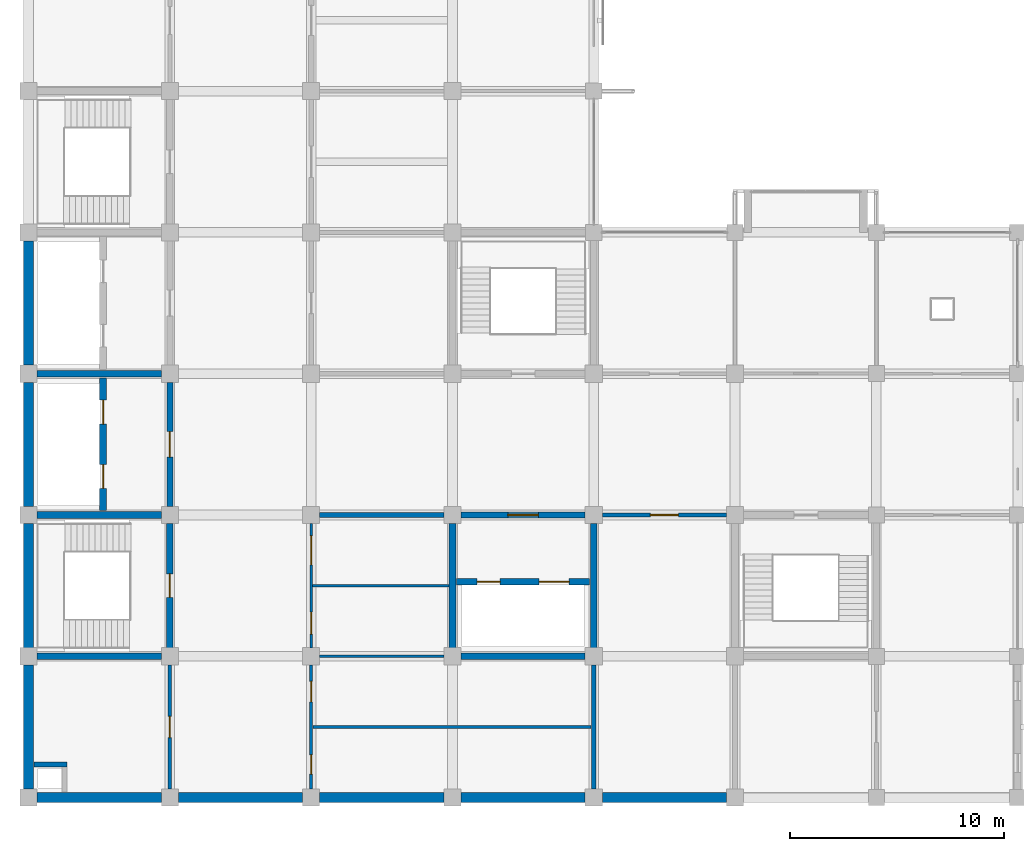
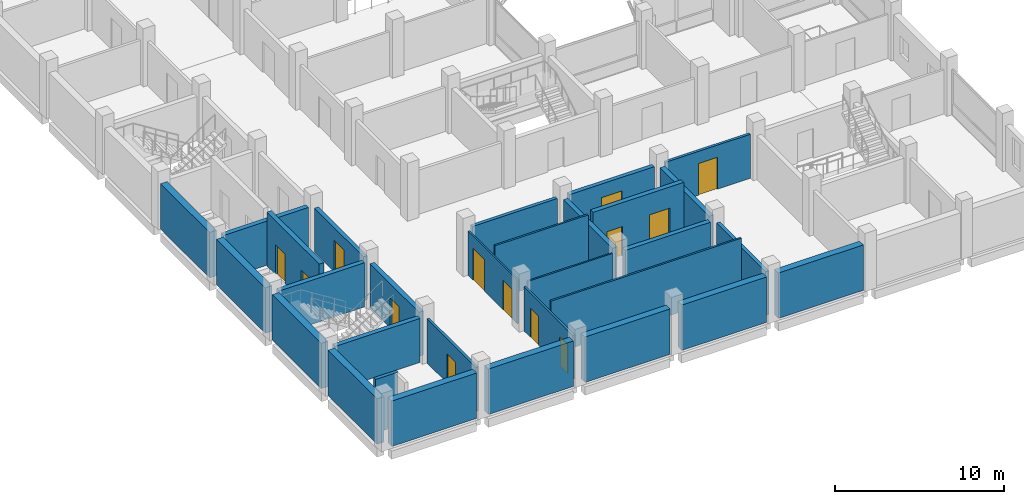
# One storey, part 7 of 14: 30 walls, 13 doors, 13 openings.
"""IFC4 building model written with IfcOpenShell, lengths in metres."""

from ifc_helpers import new_model, si_unit, direction, frame, frame_2d, origin, place, context, subcontext, project, spatial, rectangle, extrude, material, layer, layer_set, type_object, element, fill, save


model = new_model("IFC4")

# Units and contexts
model_context = context("Model", 3, precision=1e-05, world=origin(), true_north=direction((0.0, 1.0)))
body_context = subcontext(model_context, "Body", "Model", "MODEL_VIEW")
ifc_project = project(units=[si_unit("LENGTHUNIT", "METRE"), si_unit("AREAUNIT", "SQUARE_METRE"), si_unit("VOLUMEUNIT", "CUBIC_METRE"), si_unit("PLANEANGLEUNIT", "RADIAN"), si_unit("MASSUNIT", "GRAM", prefix="KILO")], contexts=[model_context])

# Site, building, storey
site_placement = place(None, origin())
site = spatial("IfcSite", under=ifc_project, at=site_placement, CompositionType="ELEMENT")
building_placement = place(site_placement, origin())
building = spatial("IfcBuilding", under=site, at=building_placement, Name="Rusizi Kubbe Research Institute", CompositionType="ELEMENT")
storey_placement = place(building_placement, frame((0.0, 0.0, 31.199951171875)))
storey = spatial("IfcBuildingStorey", under=building, at=storey_placement, Name="L07", CompositionType="ELEMENT", Elevation=31.199951171875)

# Walls
ifc_material_1 = material(Name="Concrete C45/55", Category="concrete")
ifc_layer_1 = layer(ifc_material_1, 0.31494140625)
ifc_layer_set_1 = layer_set([ifc_layer_1], Name="Concrete C45/55")
wall_type_1 = type_object("IfcWallType", Name="CRW-02", PredefinedType="SHEAR", material=ifc_layer_set_1)
for number, where, z_axis, x_axis, name in (
    (1, (0.39990234375, 6.60009765625, 0.0), (0.0, 0.0, 1.0), (1.0, 0.0, 0.0), "Stair Core Shear Wall ST1 L07 S"),
    (2, (0.39990234375, 13.199951171875, 0.0), (0.0, 0.0, 1.0), (1.0, 0.0, 0.0), "Stair Core Shear Wall ST1 L07 N"),
):
    element("IfcWall", number, at=place(storey_placement, frame(where, z_axis=z_axis, x_axis=x_axis)), inside=storey, type_object=wall_type_1, Name=name, PredefinedType="SHEAR", context=body_context, shape_type="SweptSolid", body=[
        extrude(rectangle(XDim=5.800048828125, YDim=0.31494140625, at=frame_2d((2.89990234375, 0.0))), origin(), (0.0, 0.0, 1.0), 3.179931640625),
    ])

# Wall, opening, door
wall_1_placement = place(storey_placement, frame((6.60009765625, 7.0, 0.0), z_axis=(0.0, 0.0, 1.0), x_axis=(0.0, 1.0, 0.0)))
wall_1 = element("IfcWall", 3, at=wall_1_placement, inside=storey, type_object=wall_type_1, Name="Stair Core Shear Wall ST1 L07 E", PredefinedType="SHEAR", context=body_context, shape_type="SweptSolid", body=[
    extrude(rectangle(XDim=5.800048828125, YDim=0.31494140625, at=frame_2d((2.89990234375, 0.0))), origin(), (0.0, 0.0, 1.0), 3.179931640625),
])
opening_1_placement = place(wall_1_placement, frame((2.35009765625, 0.0, 0.0)))
opening_1 = element("IfcOpeningElement", 4, at=opening_1_placement, cuts=wall_1, Name="Opening D-01", PredefinedType="OPENING", context=body_context, shape_type="SweptSolid", body=[
    extrude(rectangle(XDim=1.10009765625, YDim=2.14990234375, at=frame_2d((0.550048828125, 1.074951171875))), frame((0.0, 0.16748046875, 0.0), z_axis=(0.0, -1.0, 0.0), x_axis=(1.0, 0.0, 0.0)), (0.0, 0.0, 1.0), 0.3349609375),
])
ifc_material_2 = material(Name="Fire-Rated Steel Frame and Acoustic Timber Leaf", Category="wood")
door_type_1 = type_object("IfcDoorType", Name="ID-STAIR-110", OperationType="NOTDEFINED", PredefinedType="DOOR", material=ifc_material_2)
door_1_placement = place(opening_1_placement, origin())
door_1 = element("IfcDoor", 5, at=door_1_placement, inside=storey, type_object=door_type_1, Name="Exit Stair Door ST1 L07", OperationType="SINGLE_SWING_LEFT", OverallHeight=2.14990234375, OverallWidth=1.10009765625, PredefinedType="DOOR", context=body_context, shape_type="SweptSolid", body=[
    extrude(rectangle(XDim=1.10009765625, YDim=2.14990234375, at=frame_2d((0.550048828125, 1.074951171875))), frame((0.0, 0.02490234375, 0.0), z_axis=(0.0, -1.0, 0.0), x_axis=(1.0, 0.0, 0.0)), (0.0, 0.0, 1.0), 0.050048828125),
])
fill(opening_1, door_1)

# Walls
for number, where, z_axis, x_axis, name in (
    (6, (0.39990234375, 19.800048828125, 0.0), (0.0, 0.0, 1.0), (1.0, 0.0, 0.0), "Lift Core Divider Wall (0,2-3) L07"),
    (7, (20.199951171875, 6.60009765625, 0.0), (0.0, 0.0, 1.0), (1.0, 0.0, 0.0), "Lab Lift Core Wall S (3,1) L07"),
    (8, (19.800048828125, 7.0, 0.0), (0.0, 0.0, 1.0), (0.0, 1.0, 0.0), "Lab Lift Core Wall W (3,1) L07"),
    (9, (26.39990234375, 7.0, 0.0), (0.0, 0.0, 1.0), (0.0, 1.0, 0.0), "Lab Lift Core Wall E (3,1) L07"),
):
    element("IfcWall", number, at=place(storey_placement, frame(where, z_axis=z_axis, x_axis=x_axis)), inside=storey, type_object=wall_type_1, Name=name, PredefinedType="SHEAR", context=body_context, shape_type="SweptSolid", body=[
        extrude(rectangle(XDim=5.800048828125, YDim=0.31494140625, at=frame_2d((2.89990234375, 0.0))), origin(), (0.0, 0.0, 1.0), 3.179931640625),
    ])

# Wall, openings, doors
wall_2_placement = place(storey_placement, frame((3.47998046875, 13.39990234375, 0.0), z_axis=(0.0, 0.0, 1.0), x_axis=(0.0, 1.0, 0.0)))
wall_2 = element("IfcWall", 10, at=wall_2_placement, inside=storey, type_object=wall_type_1, Name="Firefighting Lift Shaft Front Wall L07", PredefinedType="SHEAR", context=body_context, shape_type="SweptSolid", body=[
    extrude(rectangle(XDim=6.2001953125, YDim=0.31494140625, at=frame_2d((3.10009765625, 0.0))), origin(), (0.0, 0.0, 1.0), 3.880126953125),
])
opening_2_placement = place(wall_2_placement, frame((1.050048828125, 0.0, 0.0)))
opening_2 = element("IfcOpeningElement", 11, at=opening_2_placement, cuts=wall_2, Name="Opening LD-01", PredefinedType="OPENING", context=body_context, shape_type="SweptSolid", body=[
    extrude(rectangle(XDim=1.10009765625, YDim=2.14990234375, at=frame_2d((0.550048828125, 1.074951171875))), frame((0.0, 0.16748046875, 0.0), z_axis=(0.0, -1.0, 0.0), x_axis=(1.0, 0.0, 0.0)), (0.0, 0.0, 1.0), 0.3349609375),
])
opening_3_placement = place(wall_2_placement, frame((4.050048828125, 0.0, 0.0)))
opening_3 = element("IfcOpeningElement", 12, at=opening_3_placement, cuts=wall_2, Name="Opening LD-02", PredefinedType="OPENING", context=body_context, shape_type="SweptSolid", body=[
    extrude(rectangle(XDim=1.1201171875, YDim=2.14990234375, at=frame_2d((0.56005859375, 1.074951171875))), frame((0.0, 0.16748046875, 0.0), z_axis=(0.0, -1.0, 0.0), x_axis=(1.0, 0.0, 0.0)), (0.0, 0.0, 1.0), 0.3349609375),
])
ifc_material_3 = material(Name="Brushed Stainless Steel Sliding Door", Category="steel")
door_type_2 = type_object("IfcDoorType", Name="LD-01", OperationType="DOUBLE_DOOR_SLIDING", PredefinedType="USERDEFINED", material=ifc_material_3)
door_2_placement = place(opening_2_placement, origin())
door_2 = element("IfcDoor", 13, at=door_2_placement, inside=storey, type_object=door_type_2, Name="Lift Landing Sliding Door FL1 L07", ObjectType="SLIDING DOOR", OperationType="DOUBLE_DOOR_SLIDING", OverallHeight=2.14990234375, OverallWidth=1.10009765625, PredefinedType="USERDEFINED", context=body_context, shape_type="SweptSolid", body=[
    extrude(rectangle(XDim=1.10009765625, YDim=2.14990234375, at=frame_2d((0.550048828125, 1.074951171875))), frame((0.0, 0.02490234375, 0.0), z_axis=(0.0, -1.0, 0.0), x_axis=(1.0, 0.0, 0.0)), (0.0, 0.0, 1.0), 0.050048828125),
])
fill(opening_2, door_2)
ifc_material_4 = material(Name="Brushed Stainless Steel Sliding Door", Category="steel")
door_type_3 = type_object("IfcDoorType", Name="LD-02", OperationType="DOUBLE_DOOR_SLIDING", PredefinedType="USERDEFINED", material=ifc_material_4)
door_3_placement = place(opening_3_placement, origin())
door_3 = element("IfcDoor", 14, at=door_3_placement, inside=storey, type_object=door_type_3, Name="Lift Landing Sliding Door FL2 L07", ObjectType="SLIDING DOOR", OperationType="DOUBLE_DOOR_SLIDING", OverallHeight=2.14990234375, OverallWidth=1.1201171875, PredefinedType="USERDEFINED", context=body_context, shape_type="SweptSolid", body=[
    extrude(rectangle(XDim=1.1201171875, YDim=2.14990234375, at=frame_2d((0.56005859375, 1.074951171875))), frame((0.0, 0.02490234375, 0.0), z_axis=(0.0, -1.0, 0.0), x_axis=(1.0, 0.0, 0.0)), (0.0, 0.0, 1.0), 0.050048828125),
])
fill(opening_3, door_3)

wall_3_placement = place(storey_placement, frame((20.0, 10.080078125, 0.0), z_axis=(0.0, 0.0, 1.0), x_axis=(1.0, 0.0, 0.0)))
wall_3 = element("IfcWall", 15, at=wall_3_placement, inside=storey, type_object=wall_type_1, Name="Goods Lift Shaft Front Wall L07", PredefinedType="SHEAR", context=body_context, shape_type="SweptSolid", body=[
    extrude(rectangle(XDim=6.199951171875, YDim=0.31494140625, at=frame_2d((3.10009765625, 0.0))), origin(), (0.0, 0.0, 1.0), 3.880126953125),
])
opening_4_placement = place(wall_3_placement, frame((0.949951171875, 0.0, 0.0)))
opening_4 = element("IfcOpeningElement", 16, at=opening_4_placement, cuts=wall_3, Name="Opening LD-05", PredefinedType="OPENING", context=body_context, shape_type="SweptSolid", body=[
    extrude(rectangle(XDim=1.080078125, YDim=2.14990234375, at=frame_2d((0.5400390625, 1.074951171875))), frame((0.0, 0.16748046875, 0.0), z_axis=(0.0, -1.0, 0.0), x_axis=(1.0, 0.0, 0.0)), (0.0, 0.0, 1.0), 0.3349609375),
])
opening_5_placement = place(wall_3_placement, frame((3.85009765625, 0.0, 0.0)))
opening_5 = element("IfcOpeningElement", 17, at=opening_5_placement, cuts=wall_3, Name="Opening LD-06", PredefinedType="OPENING", context=body_context, shape_type="SweptSolid", body=[
    extrude(rectangle(XDim=1.39990234375, YDim=2.35009765625, at=frame_2d((0.699951171875, 1.175048828125))), frame((0.0, 0.16748046875, 0.0), z_axis=(0.0, -1.0, 0.0), x_axis=(1.0, 0.0, 0.0)), (0.0, 0.0, 1.0), 0.3349609375),
])
ifc_material_5 = material(Name="Brushed Stainless Steel Sliding Door", Category="steel")
door_type_4 = type_object("IfcDoorType", Name="LD-05", OperationType="DOUBLE_DOOR_SLIDING", PredefinedType="USERDEFINED", material=ifc_material_5)
door_4_placement = place(opening_4_placement, origin())
door_4 = element("IfcDoor", 18, at=door_4_placement, inside=storey, type_object=door_type_4, Name="Lift Landing Sliding Door LP3 L07", ObjectType="SLIDING DOOR", OperationType="DOUBLE_DOOR_SLIDING", OverallHeight=2.14990234375, OverallWidth=1.080078125, PredefinedType="USERDEFINED", context=body_context, shape_type="SweptSolid", body=[
    extrude(rectangle(XDim=1.080078125, YDim=2.14990234375, at=frame_2d((0.5400390625, 1.074951171875))), frame((0.0, 0.02490234375, 0.0), z_axis=(0.0, -1.0, 0.0), x_axis=(1.0, 0.0, 0.0)), (0.0, 0.0, 1.0), 0.050048828125),
])
fill(opening_4, door_4)
ifc_material_6 = material(Name="Brushed Stainless Steel Sliding Door", Category="steel")
door_type_5 = type_object("IfcDoorType", Name="LD-06", OperationType="DOUBLE_DOOR_SLIDING", PredefinedType="USERDEFINED", material=ifc_material_6)
door_5_placement = place(opening_5_placement, origin())
door_5 = element("IfcDoor", 19, at=door_5_placement, inside=storey, type_object=door_type_5, Name="Lift Landing Sliding Door LG1 L07", ObjectType="SLIDING DOOR", OperationType="DOUBLE_DOOR_SLIDING", OverallHeight=2.35009765625, OverallWidth=1.39990234375, PredefinedType="USERDEFINED", context=body_context, shape_type="SweptSolid", body=[
    extrude(rectangle(XDim=1.39990234375, YDim=2.35009765625, at=frame_2d((0.699951171875, 1.175048828125))), frame((0.0, 0.02490234375, 0.0), z_axis=(0.0, -1.0, 0.0), x_axis=(1.0, 0.0, 0.0)), (0.0, 0.0, 1.0), 0.050048828125),
])
fill(opening_5, door_5)

# Walls
ifc_material_7 = material(Name="Concrete Blockwork Fire Partition", Category="masonry")
ifc_layer_2 = layer(ifc_material_7, 0.22509765625)
ifc_layer_set_2 = layer_set([ifc_layer_2], Name="Concrete Blockwork Fire Partition")
wall_type_2 = type_object("IfcWallType", Name="IW-01", PredefinedType="PARTITIONING", material=ifc_layer_set_2)
wall_4_placement = place(storey_placement, frame((0.260009765625, 1.550048828125, 0.0), z_axis=(0.0, 0.0, 1.0), x_axis=(1.0, 0.0, 0.0)))
element("IfcWall", 20, at=wall_4_placement, inside=storey, type_object=wall_type_2, Name="Riser Shaft Wall N L07", PredefinedType="PARTITIONING", context=body_context, shape_type="SweptSolid", body=[
    extrude(rectangle(XDim=1.5400390625, YDim=0.22509765625, at=frame_2d((0.77001953125, 0.0))), origin(), (0.0, 0.0, 1.0), 3.880126953125),
])
wall_5_placement = place(storey_placement, frame((26.39990234375, 0.39990234375, 0.0), z_axis=(0.0, 0.0, 1.0), x_axis=(0.0, 1.0, 0.0)))
element("IfcWall", 21, at=wall_5_placement, inside=storey, type_object=wall_type_2, Name="Sanitary Core East Enclosing Wall L07", PredefinedType="PARTITIONING", context=body_context, shape_type="SweptSolid", body=[
    extrude(rectangle(XDim=5.800048828125, YDim=0.22509765625, at=frame_2d((2.89990234375, 0.0))), origin(), (0.0, 0.0, 1.0), 3.179931640625),
])
wall_6_placement = place(storey_placement, frame((13.60009765625, 13.199951171875, 0.0), z_axis=(0.0, 0.0, 1.0), x_axis=(1.0, 0.0, 0.0)))
element("IfcWall", 22, at=wall_6_placement, inside=storey, type_object=wall_type_2, Name="Reagent Store North Corridor Wall L07", PredefinedType="PARTITIONING", context=body_context, shape_type="SweptSolid", body=[
    extrude(rectangle(XDim=5.7998046875, YDim=0.22509765625, at=frame_2d((2.89990234375, 0.0))), origin(), (0.0, 0.0, 1.0), 3.179931640625),
])

# Wall, opening, door
ifc_material_8 = material(Name="Acoustic Laboratory Partition", Category="masonry")
ifc_layer_3 = layer(ifc_material_8, 0.175048828125)
ifc_layer_set_3 = layer_set([ifc_layer_3], Name="Acoustic Laboratory Partition")
wall_type_3 = type_object("IfcWallType", Name="IW-03", PredefinedType="PARTITIONING", material=ifc_layer_set_3)
wall_7_placement = place(storey_placement, frame((6.60009765625, 0.39990234375, 0.0), z_axis=(0.0, 0.0, 1.0), x_axis=(0.0, 1.0, 0.0)))
wall_7 = element("IfcWall", 23, at=wall_7_placement, inside=storey, type_object=wall_type_3, Name="Interior Partition Wall L07 V1-0", PredefinedType="PARTITIONING", context=body_context, shape_type="SweptSolid", body=[
    extrude(rectangle(XDim=5.800048828125, YDim=0.175048828125, at=frame_2d((2.89990234375, 0.0))), origin(), (0.0, 0.0, 1.0), 3.179931640625),
])
opening_6_placement = place(wall_7_placement, frame((2.39990234375, 0.0, 0.0)))
opening_6 = element("IfcOpeningElement", 24, at=opening_6_placement, cuts=wall_7, Name="Opening D-04", PredefinedType="OPENING", context=body_context, shape_type="SweptSolid", body=[
    extrude(rectangle(XDim=1.0, YDim=2.10009765625, at=frame_2d((0.5, 1.050048828125))), frame((0.0, 0.097412109375, 0.0), z_axis=(0.0, -1.0, 0.0), x_axis=(1.0, 0.0, 0.0)), (0.0, 0.0, 1.0), 0.195068359375),
])
ifc_material_9 = material(Name="Fire-Rated Steel Frame and Acoustic Timber Leaf", Category="wood")
door_type_6 = type_object("IfcDoorType", Name="ID-MEP-100", OperationType="NOTDEFINED", PredefinedType="DOOR", material=ifc_material_9)
door_6_placement = place(opening_6_placement, origin())
door_6 = element("IfcDoor", 25, at=door_6_placement, inside=storey, type_object=door_type_6, Name="Door to Service Spine Utility Riser Room (L07-MEP-01)", OperationType="SINGLE_SWING_RIGHT", OverallHeight=2.10009765625, OverallWidth=1.0, PredefinedType="DOOR", context=body_context, shape_type="SweptSolid", body=[
    extrude(rectangle(XDim=1.0, YDim=2.10009765625, at=frame_2d((0.5, 1.050048828125))), frame((0.0, 0.02490234375, 0.0), z_axis=(0.0, -1.0, 0.0), x_axis=(1.0, 0.0, 0.0)), (0.0, 0.0, 1.0), 0.050048828125),
])
fill(opening_6, door_6)

wall_8_placement = place(storey_placement, frame((26.800048828125, 13.199951171875, 0.0), z_axis=(0.0, 0.0, 1.0), x_axis=(1.0, 0.0, 0.0)))
wall_8 = element("IfcWall", 26, at=wall_8_placement, inside=storey, type_object=wall_type_3, Name="Interior Partition Wall L07 H4-2", PredefinedType="PARTITIONING", context=body_context, shape_type="SweptSolid", body=[
    extrude(rectangle(XDim=5.800048828125, YDim=0.175048828125, at=frame_2d((2.89990234375, 0.0))), origin(), (0.0, 0.0, 1.0), 3.179931640625),
])
opening_7_placement = place(wall_8_placement, frame((2.25, 0.0, 0.0)))
opening_7 = element("IfcOpeningElement", 27, at=opening_7_placement, cuts=wall_8, Name="Opening D-14", PredefinedType="OPENING", context=body_context, shape_type="SweptSolid", body=[
    extrude(rectangle(XDim=1.300048828125, YDim=2.300048828125, at=frame_2d((0.64990234375, 1.14990234375))), frame((0.0, 0.097412109375, 0.0), z_axis=(0.0, -1.0, 0.0), x_axis=(1.0, 0.0, 0.0)), (0.0, 0.0, 1.0), 0.195068359375),
])
ifc_material_10 = material(Name="Fire-Rated Steel Frame and Acoustic Timber Leaf", Category="wood")
door_type_7 = type_object("IfcDoorType", Name="ID-LAB-130", OperationType="NOTDEFINED", PredefinedType="DOOR", material=ifc_material_10)
door_7_placement = place(opening_7_placement, origin())
door_7 = element("IfcDoor", 28, at=door_7_placement, inside=storey, type_object=door_type_7, Name="Door to Clean Room Process Suite (L07-EWS-01)", OperationType="SINGLE_SWING_RIGHT", OverallHeight=2.300048828125, OverallWidth=1.300048828125, PredefinedType="DOOR", context=body_context, shape_type="SweptSolid", body=[
    extrude(rectangle(XDim=1.300048828125, YDim=2.300048828125, at=frame_2d((0.64990234375, 1.14990234375))), frame((0.0, 0.02490234375, 0.0), z_axis=(0.0, -1.0, 0.0), x_axis=(1.0, 0.0, 0.0)), (0.0, 0.0, 1.0), 0.050048828125),
])
fill(opening_7, door_7)

# Wall, openings, doors
ifc_material_11 = material(Name="Write-up Glazed Acoustic Partition", Category="masonry")
ifc_layer_4 = layer(ifc_material_11, 0.139892578125)
ifc_layer_set_4 = layer_set([ifc_layer_4], Name="Write-up Glazed Acoustic Partition")
wall_type_4 = type_object("IfcWallType", Name="IW-05", PredefinedType="PARTITIONING", material=ifc_layer_set_4)
wall_9_placement = place(storey_placement, frame((13.199951171875, 0.39990234375, 0.0), z_axis=(0.0, 0.0, 1.0), x_axis=(0.0, 1.0, 0.0)))
wall_9 = element("IfcWall", 29, at=wall_9_placement, inside=storey, type_object=wall_type_4, Name="Sanitary Core West Corridor Wall L07", PredefinedType="PARTITIONING", context=body_context, shape_type="SweptSolid", body=[
    extrude(rectangle(XDim=5.800048828125, YDim=0.139892578125, at=frame_2d((2.89990234375, 0.0))), origin(), (0.0, 0.0, 1.0), 3.179931640625),
])
opening_8_placement = place(wall_9_placement, frame((0.699951171875, 0.0, 0.0)))
opening_8 = element("IfcOpeningElement", 30, at=opening_8_placement, cuts=wall_9, Name="Opening D-05", PredefinedType="OPENING", context=body_context, shape_type="SweptSolid", body=[
    extrude(rectangle(XDim=0.89990234375, YDim=2.10009765625, at=frame_2d((0.449951171875, 1.050048828125))), frame((0.0, 0.079833984375, 0.0), z_axis=(0.0, -1.0, 0.0), x_axis=(1.0, 0.0, 0.0)), (0.0, 0.0, 1.0), 0.159912109375),
])
opening_9_placement = place(wall_9_placement, frame((4.074951171875, 0.0, 0.0)))
opening_9 = element("IfcOpeningElement", 31, at=opening_9_placement, cuts=wall_9, Name="Opening D-06", PredefinedType="OPENING", context=body_context, shape_type="SweptSolid", body=[
    extrude(rectangle(XDim=0.949951171875, YDim=2.10009765625, at=frame_2d((0.47509765625, 1.050048828125))), frame((0.0, 0.079833984375, 0.0), z_axis=(0.0, -1.0, 0.0), x_axis=(1.0, 0.0, 0.0)), (0.0, 0.0, 1.0), 0.159912109375),
])
ifc_material_12 = material(Name="Fire-Rated Steel Frame and Acoustic Timber Leaf", Category="wood")
door_type_8 = type_object("IfcDoorType", Name="ID-WC-900", OperationType="NOTDEFINED", PredefinedType="DOOR", material=ifc_material_12)
door_8_placement = place(opening_8_placement, origin())
door_8 = element("IfcDoor", 32, at=door_8_placement, inside=storey, type_object=door_type_8, Name="Door to Male Toilet Room (L07-WC-M)", OperationType="SINGLE_SWING_LEFT", OverallHeight=2.10009765625, OverallWidth=0.89990234375, PredefinedType="DOOR", context=body_context, shape_type="SweptSolid", body=[
    extrude(rectangle(XDim=0.89990234375, YDim=2.10009765625, at=frame_2d((0.449951171875, 1.050048828125))), frame((0.0, 0.02490234375, 0.0), z_axis=(0.0, -1.0, 0.0), x_axis=(1.0, 0.0, 0.0)), (0.0, 0.0, 1.0), 0.050048828125),
])
fill(opening_8, door_8)
ifc_material_13 = material(Name="Fire-Rated Steel Frame and Acoustic Timber Leaf", Category="wood")
door_type_9 = type_object("IfcDoorType", Name="ID-WC-950", OperationType="NOTDEFINED", PredefinedType="DOOR", material=ifc_material_13)
door_9_placement = place(opening_9_placement, origin())
door_9 = element("IfcDoor", 33, at=door_9_placement, inside=storey, type_object=door_type_9, Name="Door to Female Toilet Room (L07-WC-F)", OperationType="SINGLE_SWING_RIGHT", OverallHeight=2.10009765625, OverallWidth=0.949951171875, PredefinedType="DOOR", context=body_context, shape_type="SweptSolid", body=[
    extrude(rectangle(XDim=0.949951171875, YDim=2.10009765625, at=frame_2d((0.47509765625, 1.050048828125))), frame((0.0, 0.02490234375, 0.0), z_axis=(0.0, -1.0, 0.0), x_axis=(1.0, 0.0, 0.0)), (0.0, 0.0, 1.0), 0.050048828125),
])
fill(opening_9, door_9)

# Walls
ifc_material_14 = material(Name="Sanitary Wet-Wall Partition", Category="masonry")
ifc_layer_5 = layer(ifc_material_14, 0.125)
ifc_layer_set_5 = layer_set([ifc_layer_5], Name="Sanitary Wet-Wall Partition")
wall_type_5 = type_object("IfcWallType", Name="IW-06", PredefinedType="PARTITIONING", material=ifc_layer_set_5)
wall_10_placement = place(storey_placement, frame((13.27490234375, 3.300048828125, 0.0), z_axis=(0.0, 0.0, 1.0), x_axis=(1.0, 0.0, 0.0)))
element("IfcWall", 34, at=wall_10_placement, inside=storey, type_object=wall_type_5, Name="Sanitary Divider Wall L07-1", PredefinedType="PARTITIONING", context=body_context, shape_type="SweptSolid", body=[
    extrude(rectangle(XDim=13.007568359375, YDim=0.125, at=frame_2d((6.50390625, 0.0))), origin(), (0.0, 0.0, 1.0), 3.880126953125),
])
wall_11_placement = place(storey_placement, frame((13.260009765625, 9.89990234375, 0.0), z_axis=(0.0, 0.0, 1.0), x_axis=(1.0, 0.0, 0.0)))
element("IfcWall", 35, at=wall_11_placement, inside=storey, type_object=wall_type_5, Name="Sanitary Divider Wall L07-2", PredefinedType="PARTITIONING", context=body_context, shape_type="SweptSolid", body=[
    extrude(rectangle(XDim=6.37744140625, YDim=0.125, at=frame_2d((3.188720703125, 0.0))), origin(), (0.0, 0.0, 1.0), 3.880126953125),
])
ifc_material_15 = material(Name="Sub-Suite Fire Partition", Category="masonry")
ifc_layer_6 = layer(ifc_material_15, 0.110107421875)
ifc_layer_set_6 = layer_set([ifc_layer_6], Name="Sub-Suite Fire Partition")
wall_type_6 = type_object("IfcWallType", Name="IW-07", PredefinedType="PARTITIONING", material=ifc_layer_set_6)
wall_12_placement = place(storey_placement, frame((13.60009765625, 6.60009765625, 0.0), z_axis=(0.0, 0.0, 1.0), x_axis=(1.0, 0.0, 0.0)))
element("IfcWall", 36, at=wall_12_placement, inside=storey, type_object=wall_type_6, Name="Sanitary Core North Divider Wall L07", PredefinedType="PARTITIONING", context=body_context, shape_type="SweptSolid", body=[
    extrude(rectangle(XDim=5.7998046875, YDim=0.110107421875, at=frame_2d((2.89990234375, 0.0))), origin(), (0.0, 0.0, 1.0), 3.179931640625),
])

# Wall, openings, doors
wall_13_placement = place(storey_placement, frame((13.199951171875, 7.0, 0.0), z_axis=(0.0, 0.0, 1.0), x_axis=(0.0, 1.0, 0.0)))
wall_13 = element("IfcWall", 37, at=wall_13_placement, inside=storey, type_object=wall_type_6, Name="Accessible WC and Store West Wall L07", PredefinedType="PARTITIONING", context=body_context, shape_type="SweptSolid", body=[
    extrude(rectangle(XDim=5.800048828125, YDim=0.110107421875, at=frame_2d((2.89990234375, 0.0))), origin(), (0.0, 0.0, 1.0), 3.179931640625),
])
opening_10_placement = place(wall_13_placement, frame((0.639892578125, 0.0, 0.0)))
opening_10 = element("IfcOpeningElement", 38, at=opening_10_placement, cuts=wall_13, Name="Opening D-07", PredefinedType="OPENING", context=body_context, shape_type="SweptSolid", body=[
    extrude(rectangle(XDim=1.02001953125, YDim=2.14990234375, at=frame_2d((0.510009765625, 1.074951171875))), frame((0.0, 0.06494140625, 0.0), z_axis=(0.0, -1.0, 0.0), x_axis=(1.0, 0.0, 0.0)), (0.0, 0.0, 1.0), 0.130126953125),
])
opening_11_placement = place(wall_13_placement, frame((3.875, 0.0, 0.0)))
opening_11 = element("IfcOpeningElement", 39, at=opening_11_placement, cuts=wall_13, Name="Opening D-13", PredefinedType="OPENING", context=body_context, shape_type="SweptSolid", body=[
    extrude(rectangle(XDim=1.35009765625, YDim=2.300048828125, at=frame_2d((0.675048828125, 1.14990234375))), frame((0.0, 0.06494140625, 0.0), z_axis=(0.0, -1.0, 0.0), x_axis=(1.0, 0.0, 0.0)), (0.0, 0.0, 1.0), 0.130126953125),
])
ifc_material_16 = material(Name="Fire-Rated Steel Frame and Acoustic Timber Leaf", Category="wood")
door_type_10 = type_object("IfcDoorType", Name="ID-LAB-135", OperationType="NOTDEFINED", PredefinedType="DOOR", material=ifc_material_16)
door_10_placement = place(opening_11_placement, origin())
door_10 = element("IfcDoor", 40, at=door_10_placement, inside=storey, type_object=door_type_10, Name="Door to Laboratory Reagent Store (L07-STR-01)", OperationType="SINGLE_SWING_LEFT", OverallHeight=2.300048828125, OverallWidth=1.35009765625, PredefinedType="DOOR", context=body_context, shape_type="SweptSolid", body=[
    extrude(rectangle(XDim=1.35009765625, YDim=2.300048828125, at=frame_2d((0.675048828125, 1.14990234375))), frame((0.0, 0.02490234375, 0.0), z_axis=(0.0, -1.0, 0.0), x_axis=(1.0, 0.0, 0.0)), (0.0, 0.0, 1.0), 0.050048828125),
])
fill(opening_11, door_10)
ifc_material_17 = material(Name="Fire-Rated Steel Frame and Acoustic Timber Leaf", Category="wood")
door_type_11 = type_object("IfcDoorType", Name="ID-WC-ACC", OperationType="NOTDEFINED", PredefinedType="DOOR", material=ifc_material_17)
door_11_placement = place(opening_10_placement, origin())
door_11 = element("IfcDoor", 41, at=door_11_placement, inside=storey, type_object=door_type_11, Name="Door to Accessible Toilet Room (L07-WC-ACC)", OperationType="SINGLE_SWING_LEFT", OverallHeight=2.14990234375, OverallWidth=1.02001953125, PredefinedType="DOOR", context=body_context, shape_type="SweptSolid", body=[
    extrude(rectangle(XDim=1.02001953125, YDim=2.14990234375, at=frame_2d((0.510009765625, 1.074951171875))), frame((0.0, 0.02490234375, 0.0), z_axis=(0.0, -1.0, 0.0), x_axis=(1.0, 0.0, 0.0)), (0.0, 0.0, 1.0), 0.050048828125),
])
fill(opening_10, door_11)

# Walls
ifc_material_18 = material(Name="Concrete C40/50", Category="concrete")
ifc_layer_7 = layer(ifc_material_18, 0.4599609375)
ifc_layer_set_7 = layer_set([ifc_layer_7], Name="Concrete C40/50")
wall_type_7 = type_object("IfcWallType", Name="PW-02", PredefinedType="SOLIDWALL", material=ifc_layer_set_7)
for number, where, z_axis, x_axis, name in (
    (42, (0.39990234375, 0.0, 0.0), (0.0, 0.0, 1.0), (1.0, 0.0, 0.0), "Blind Party Wall L07 H0-0"),
    (43, (0.0, 0.39990234375, 0.0), (0.0, 0.0, 1.0), (0.0, 1.0, 0.0), "Blind Party Wall L07 V0-0"),
    (44, (0.0, 7.0, 0.0), (0.0, 0.0, 1.0), (0.0, 1.0, 0.0), "Blind Party Wall L07 V0-1"),
):
    element("IfcWall", number, at=place(storey_placement, frame(where, z_axis=z_axis, x_axis=x_axis)), inside=storey, type_object=wall_type_7, Name=name, PredefinedType="SOLIDWALL", context=body_context, shape_type="SweptSolid", body=[
        extrude(rectangle(XDim=5.800048828125, YDim=0.4599609375, at=frame_2d((2.89990234375, 0.0))), origin(), (0.0, 0.0, 1.0), 3.280029296875),
    ])
wall_14_placement = place(storey_placement, frame((0.0, 13.60009765625, 0.0), z_axis=(0.0, 0.0, 1.0), x_axis=(0.0, 1.0, 0.0)))
element("IfcWall", 45, at=wall_14_placement, inside=storey, type_object=wall_type_7, Name="Blind Party Wall L07 V0-2", PredefinedType="SOLIDWALL", context=body_context, shape_type="SweptSolid", body=[
    extrude(rectangle(XDim=5.7998046875, YDim=0.4599609375, at=frame_2d((2.89990234375, 0.0))), origin(), (0.0, 0.0, 1.0), 3.280029296875),
])
for number, where, z_axis, x_axis, name in (
    (46, (0.0, 20.199951171875, 0.0), (0.0, 0.0, 1.0), (0.0, 1.0, 0.0), "Blind Party Wall L07 V0-3"),
    (47, (7.0, 0.0, 0.0), (0.0, 0.0, 1.0), (1.0, 0.0, 0.0), "Blind Party Wall L07 H1-0"),
):
    element("IfcWall", number, at=place(storey_placement, frame(where, z_axis=z_axis, x_axis=x_axis)), inside=storey, type_object=wall_type_7, Name=name, PredefinedType="SOLIDWALL", context=body_context, shape_type="SweptSolid", body=[
        extrude(rectangle(XDim=5.800048828125, YDim=0.4599609375, at=frame_2d((2.89990234375, 0.0))), origin(), (0.0, 0.0, 1.0), 3.280029296875),
    ])
wall_15_placement = place(storey_placement, frame((13.60009765625, 0.0, 0.0), z_axis=(0.0, 0.0, 1.0), x_axis=(1.0, 0.0, 0.0)))
element("IfcWall", 48, at=wall_15_placement, inside=storey, type_object=wall_type_7, Name="Blind Party Wall L07 H2-0", PredefinedType="SOLIDWALL", context=body_context, shape_type="SweptSolid", body=[
    extrude(rectangle(XDim=5.7998046875, YDim=0.4599609375, at=frame_2d((2.89990234375, 0.0))), origin(), (0.0, 0.0, 1.0), 3.280029296875),
])
for number, where, z_axis, x_axis, name in (
    (49, (20.199951171875, 0.0, 0.0), (0.0, 0.0, 1.0), (1.0, 0.0, 0.0), "Blind Party Wall L07 H3-0"),
    (50, (26.800048828125, 0.0, 0.0), (0.0, 0.0, 1.0), (1.0, 0.0, 0.0), "Blind Party Wall L07 H4-0"),
):
    element("IfcWall", number, at=place(storey_placement, frame(where, z_axis=z_axis, x_axis=x_axis)), inside=storey, type_object=wall_type_7, Name=name, PredefinedType="SOLIDWALL", context=body_context, shape_type="SweptSolid", body=[
        extrude(rectangle(XDim=5.800048828125, YDim=0.4599609375, at=frame_2d((2.89990234375, 0.0))), origin(), (0.0, 0.0, 1.0), 3.280029296875),
    ])

# Wall, opening, door
ifc_material_19 = material(Name="Concrete C40/50", Category="concrete")
ifc_layer_8 = layer(ifc_material_19, 0.27490234375)
ifc_layer_set_8 = layer_set([ifc_layer_8], Name="Concrete C40/50")
wall_type_8 = type_object("IfcWallType", Name="SHW-01", PredefinedType="SHEAR", material=ifc_layer_set_8)
wall_16_placement = place(storey_placement, frame((6.60009765625, 13.60009765625, 0.0), z_axis=(0.0, 0.0, 1.0), x_axis=(0.0, 1.0, 0.0)))
wall_16 = element("IfcWall", 51, at=wall_16_placement, inside=storey, type_object=wall_type_8, Name="Firefighting Lobby Wall L07", PredefinedType="SHEAR", context=body_context, shape_type="SweptSolid", body=[
    extrude(rectangle(XDim=5.7998046875, YDim=0.27490234375, at=frame_2d((2.89990234375, 0.0))), origin(), (0.0, 0.0, 1.0), 3.179931640625),
])
opening_12_placement = place(wall_16_placement, frame((2.300048828125, 0.0, 0.0)))
opening_12 = element("IfcOpeningElement", 52, at=opening_12_placement, cuts=wall_16, Name="Opening D-03", PredefinedType="OPENING", context=body_context, shape_type="SweptSolid", body=[
    extrude(rectangle(XDim=1.199951171875, YDim=2.25, at=frame_2d((0.60009765625, 1.125))), frame((0.0, 0.1474609375, 0.0), z_axis=(0.0, -1.0, 0.0), x_axis=(1.0, 0.0, 0.0)), (0.0, 0.0, 1.0), 0.294921875),
])
ifc_material_20 = material(Name="Fire-Rated Steel Frame and Acoustic Timber Leaf", Category="wood")
door_type_12 = type_object("IfcDoorType", Name="ID-FF-120", OperationType="NOTDEFINED", PredefinedType="DOOR", material=ifc_material_20)
door_12_placement = place(opening_12_placement, origin())
door_12 = element("IfcDoor", 53, at=door_12_placement, inside=storey, type_object=door_type_12, Name="Door to Firefighting Lift Lobby (L07-FFL-01)", OperationType="SINGLE_SWING_LEFT", OverallHeight=2.25, OverallWidth=1.199951171875, PredefinedType="DOOR", context=body_context, shape_type="SweptSolid", body=[
    extrude(rectangle(XDim=1.199951171875, YDim=2.25, at=frame_2d((0.60009765625, 1.125))), frame((0.0, 0.02490234375, 0.0), z_axis=(0.0, -1.0, 0.0), x_axis=(1.0, 0.0, 0.0)), (0.0, 0.0, 1.0), 0.050048828125),
])
fill(opening_12, door_12)

wall_17_placement = place(storey_placement, frame((20.199951171875, 13.199951171875, 0.0), z_axis=(0.0, 0.0, 1.0), x_axis=(1.0, 0.0, 0.0)))
wall_17 = element("IfcWall", 54, at=wall_17_placement, inside=storey, type_object=wall_type_8, Name="Goods Lift Lobby Wall L07", PredefinedType="SHEAR", context=body_context, shape_type="SweptSolid", body=[
    extrude(rectangle(XDim=5.800048828125, YDim=0.27490234375, at=frame_2d((2.89990234375, 0.0))), origin(), (0.0, 0.0, 1.0), 3.179931640625),
])
opening_13_placement = place(wall_17_placement, frame((2.18994140625, 0.0, 0.0)))
opening_13 = element("IfcOpeningElement", 55, at=opening_13_placement, cuts=wall_17, Name="Opening D-22", PredefinedType="OPENING", context=body_context, shape_type="SweptSolid", body=[
    extrude(rectangle(XDim=1.419921875, YDim=2.199951171875, at=frame_2d((0.7099609375, 1.10009765625))), frame((0.0, 0.1474609375, 0.0), z_axis=(0.0, -1.0, 0.0), x_axis=(1.0, 0.0, 0.0)), (0.0, 0.0, 1.0), 0.294921875),
])
ifc_material_21 = material(Name="Fire-Rated Steel Frame and Acoustic Timber Leaf", Category="wood")
door_type_13 = type_object("IfcDoorType", Name="ID-STR-142", OperationType="DOUBLE_DOOR_SINGLE_SWING", PredefinedType="DOOR", material=ifc_material_21)
door_13_placement = place(opening_13_placement, origin())
door_13 = element("IfcDoor", 56, at=door_13_placement, inside=storey, type_object=door_type_13, Name="Door to Laboratory Goods Lift Lobby (L07-GLB-01)", OperationType="DOUBLE_DOOR_SINGLE_SWING", OverallHeight=2.199951171875, OverallWidth=1.419921875, PredefinedType="DOOR", context=body_context, shape_type="SweptSolid", body=[
    extrude(rectangle(XDim=1.419921875, YDim=2.199951171875, at=frame_2d((0.7099609375, 1.10009765625))), frame((0.0, 0.02490234375, 0.0), z_axis=(0.0, -1.0, 0.0), x_axis=(1.0, 0.0, 0.0)), (0.0, 0.0, 1.0), 0.050048828125),
])
fill(opening_13, door_13)

save(model, "model.ifc")
